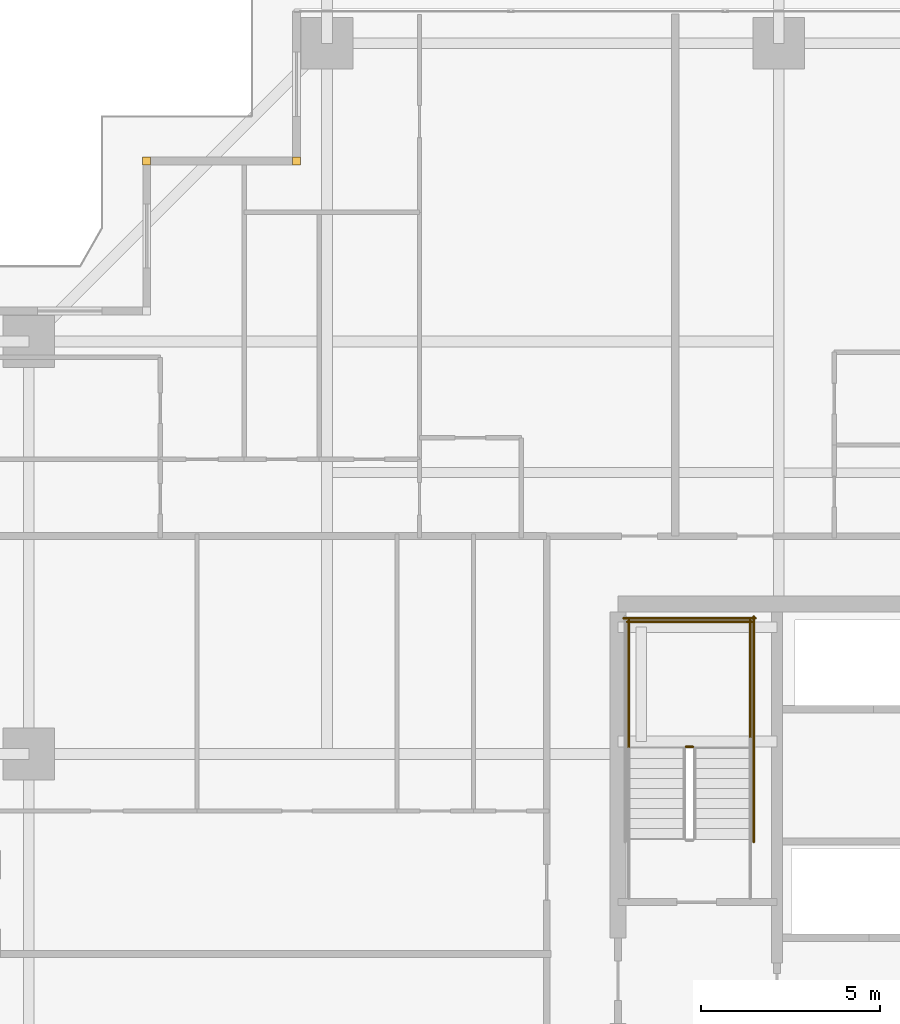
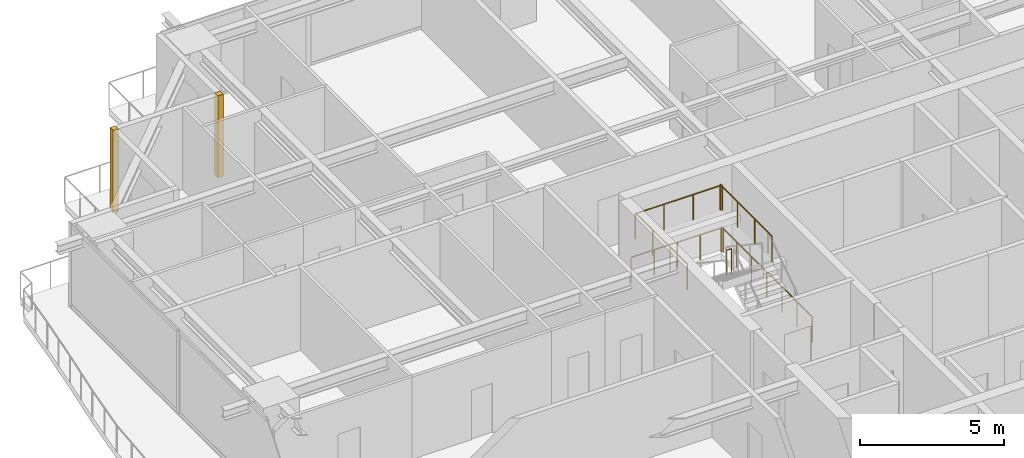
# One storey, part 40 of 41: 6 railings, 2 coverings.
"""IFC4 building model written with IfcOpenShell, lengths in metres."""

from ifc_helpers import new_model, si_unit, direction, frame, origin, origin_2d, place, context, subcontext, project, spatial, rectangle, circle, extrude, source, transform, mapped, material, layer, layer_set, type_object, element, save


model = new_model("IFC4")

# Units and contexts
model_context = context("Model", 3, precision=1e-05, world=origin(), true_north=direction((0.0, 1.0)))
body_context = subcontext(model_context, "Body", "Model", "MODEL_VIEW")
ifc_project = project(units=[si_unit("LENGTHUNIT", "METRE"), si_unit("AREAUNIT", "SQUARE_METRE"), si_unit("VOLUMEUNIT", "CUBIC_METRE"), si_unit("PLANEANGLEUNIT", "RADIAN"), si_unit("MASSUNIT", "GRAM", prefix="KILO")], contexts=[model_context])

# Site, building, storey
site_placement = place(None, origin())
site = spatial("IfcSite", under=ifc_project, at=site_placement, CompositionType="ELEMENT")
building_placement = place(site_placement, origin())
building = spatial("IfcBuilding", under=site, at=building_placement, Name="Serunith Strait Residences", CompositionType="ELEMENT")
storey_placement = place(building_placement, frame((0.0, 0.0, 45.449951171875)))
storey = spatial("IfcBuildingStorey", under=building, at=storey_placement, Name="L10", CompositionType="ELEMENT", Elevation=45.449951171875)

# Railings
ifc_material_1 = material(Name="Brushed stainless steel 316L", Category="steel")
railing_type = type_object("IfcRailingType", Name="RLG-STAIR-GUARD", PredefinedType="BALUSTRADE", material=ifc_material_1)
railing_1_placement = place(storey_placement, frame((25.5, 29.60009765625, 1.875)))
element("IfcRailing", 1, at=railing_1_placement, inside=storey, type_object=railing_type, Name="L10 ST-1 stair guard 2", PredefinedType="BALUSTRADE", context=body_context, shape_type="SweptSolid", body=[
    extrude(circle(Radius=0.02392578125, at=origin_2d()), frame((-0.001953125, 0.0, 1.076171875), z_axis=(-1.0, 0.0, 0.0), x_axis=(0.0, -1.0, 0.0)), (0.0, 0.0, 1.0), 0.196044921875),
    extrude(circle(Radius=0.02099609375, at=origin_2d()), origin(), (0.0, 0.0, 1.0), 1.050048828125),
    extrude(circle(Radius=0.02099609375, at=origin_2d()), frame((-0.199951171875, 0.0, 0.0)), (0.0, 0.0, 1.0), 1.050048828125),
])
for number, where, name in (
    (2, (27.10009765625, 29.550048828125, 1.875), "L10 ST-1 stair guard 3"),
    (3, (23.699951171875, 29.550048828125, 1.875), "L10 ST-1 stair guard 4"),
):
    element("IfcRailing", number, at=place(storey_placement, frame(where)), inside=storey, type_object=railing_type, Name=name, PredefinedType="BALUSTRADE", context=body_context, shape_type="SweptSolid", body=[
        extrude(circle(Radius=0.02392578125, at=origin_2d()), frame((0.0, 0.001953125, 1.076171875), z_axis=(0.0, 1.0, 0.0), x_axis=(-1.0, 0.0, 0.0)), (0.0, 0.0, 1.0), 3.595947265625),
        extrude(circle(Radius=0.02099609375, at=origin_2d()), origin(), (0.0, 0.0, 1.0), 1.050048828125),
        extrude(circle(Radius=0.02099609375, at=origin_2d()), frame((0.0, 1.199951171875, 0.0)), (0.0, 0.0, 1.0), 1.050048828125),
        extrude(circle(Radius=0.02099609375, at=origin_2d()), frame((0.0, 2.39990234375, 0.0)), (0.0, 0.0, 1.0), 1.050048828125),
        extrude(circle(Radius=0.02099609375, at=origin_2d()), frame((0.0, 3.599853515625, 0.0)), (0.0, 0.0, 1.0), 1.050048828125),
    ])
railing_2_placement = place(storey_placement, frame((27.14990234375, 33.10009765625, 1.875)))
element("IfcRailing", 4, at=railing_2_placement, inside=storey, type_object=railing_type, Name="L10 ST-1 stair guard 5", PredefinedType="BALUSTRADE", context=body_context, shape_type="SweptSolid", body=[
    extrude(circle(Radius=0.02392578125, at=origin_2d()), frame((-0.001953125, 0.0, 1.076171875), z_axis=(-1.0, 0.0, 0.0), x_axis=(0.0, -1.0, 0.0)), (0.0, 0.0, 1.0), 3.49609375),
    extrude(circle(Radius=0.02099609375, at=origin_2d()), origin(), (0.0, 0.0, 1.0), 1.050048828125),
    extrude(circle(Radius=0.02099609375, at=origin_2d()), frame((-1.166748046875, 0.0, 0.0)), (0.0, 0.0, 1.0), 1.050048828125),
    extrude(circle(Radius=0.02099609375, at=origin_2d()), frame((-2.333251953125, 0.0, 0.0)), (0.0, 0.0, 1.0), 1.050048828125),
    extrude(circle(Radius=0.02099609375, at=origin_2d()), frame((-3.5, 0.0, 0.0)), (0.0, 0.0, 1.0), 1.050048828125),
])
railing_3_placement = place(storey_placement, frame((27.199951171875, 26.929931640625, 0.0)))
element("IfcRailing", 5, at=railing_3_placement, inside=storey, type_object=railing_type, Name="L10 ST-1 stair guard 10", PredefinedType="BALUSTRADE", context=body_context, shape_type="SweptSolid", body=[
    extrude(circle(Radius=0.02392578125, at=origin_2d()), frame((0.0, 0.001953125, 1.076171875), z_axis=(0.0, 1.0, 0.0), x_axis=(-1.0, 0.0, 0.0)), (0.0, 0.0, 1.0), 6.316162109375),
    extrude(circle(Radius=0.02099609375, at=origin_2d()), origin(), (0.0, 0.0, 1.0), 1.050048828125),
    extrude(circle(Radius=0.02099609375, at=origin_2d()), frame((0.0, 1.05322265625, 0.0)), (0.0, 0.0, 1.0), 1.050048828125),
    extrude(circle(Radius=0.02099609375, at=origin_2d()), frame((0.0, 2.106689453125, 0.0)), (0.0, 0.0, 1.0), 1.050048828125),
    extrude(circle(Radius=0.02099609375, at=origin_2d()), frame((0.0, 3.16015625, 0.0)), (0.0, 0.0, 1.0), 1.050048828125),
    extrude(circle(Radius=0.02099609375, at=origin_2d()), frame((0.0, 4.21337890625, 0.0)), (0.0, 0.0, 1.0), 1.050048828125),
    extrude(circle(Radius=0.02099609375, at=origin_2d()), frame((0.0, 5.2666015625, 0.0)), (0.0, 0.0, 1.0), 1.050048828125),
    extrude(circle(Radius=0.02099609375, at=origin_2d()), frame((0.0, 6.320068359375, 0.0)), (0.0, 0.0, 1.0), 1.050048828125),
])
railing_4_placement = place(storey_placement, frame((27.25, 33.199951171875, 0.0)))
element("IfcRailing", 6, at=railing_4_placement, inside=storey, type_object=railing_type, Name="L10 ST-1 stair guard 12", PredefinedType="BALUSTRADE", context=body_context, shape_type="SweptSolid", body=[
    extrude(circle(Radius=0.02392578125, at=origin_2d()), frame((-0.001953125, 0.0, 1.076171875), z_axis=(-1.0, 0.0, 0.0), x_axis=(0.0, -1.0, 0.0)), (0.0, 0.0, 1.0), 3.696044921875),
    extrude(circle(Radius=0.02099609375, at=origin_2d()), origin(), (0.0, 0.0, 1.0), 1.050048828125),
    extrude(circle(Radius=0.02099609375, at=origin_2d()), frame((-0.925048828125, 0.0, 0.0)), (0.0, 0.0, 1.0), 1.050048828125),
    extrude(circle(Radius=0.02099609375, at=origin_2d()), frame((-1.85009765625, 0.0, 0.0)), (0.0, 0.0, 1.0), 1.050048828125),
    extrude(circle(Radius=0.02099609375, at=origin_2d()), frame((-2.77490234375, 0.0, 0.0)), (0.0, 0.0, 1.0), 1.050048828125),
    extrude(circle(Radius=0.02099609375, at=origin_2d()), frame((-3.699951171875, 0.0, 0.0)), (0.0, 0.0, 1.0), 1.050048828125),
])

# Coverings
ifc_material_2 = material(Name="Pale-Champagne Anodised Aluminium", Category="aluminium")
ifc_layer = layer(ifc_material_2, 0.219970703125, Name="Pale-Champagne Anodised Aluminium")
ifc_layer_set = layer_set([ifc_layer], Name="Pale-Champagne Anodised Aluminium")
covering_type = type_object("IfcCoveringType", Name="COV-CORN-TRIM", PredefinedType="CLADDING", material=ifc_layer_set)
shared_shape = source(origin(), body_context, "Body", "SweptSolid", [
    extrude(rectangle(XDim=0.221923828125, YDim=0.221923828125, at=origin_2d()), origin(), (0.0, 0.0, 1.0), 3.47509765625),
])
for number, where, z_axis, x_axis, name in (
    (7, (14.39990234375, 46.0, 0.0), (0.0, 0.0, 1.0), (1.0, 0.0, 0.0), "L10 Girih Serrated Corner Trim Post 12"),
    (8, (10.199951171875, 46.0, 0.0), (0.0, 0.0, 1.0), (1.0, 0.0, 0.0), "L10 Girih Serrated Corner Trim Post 13"),
):
    element("IfcCovering", number, at=place(storey_placement, frame(where, z_axis=z_axis, x_axis=x_axis)), inside=storey, type_object=covering_type, Name=name, PredefinedType="CLADDING", context=body_context, shape_type="MappedRepresentation", body=[
        mapped(shared_shape, transform((0.0, 0.0, 0.0), scale=1.0)),
    ])

save(model, "model.ifc")
